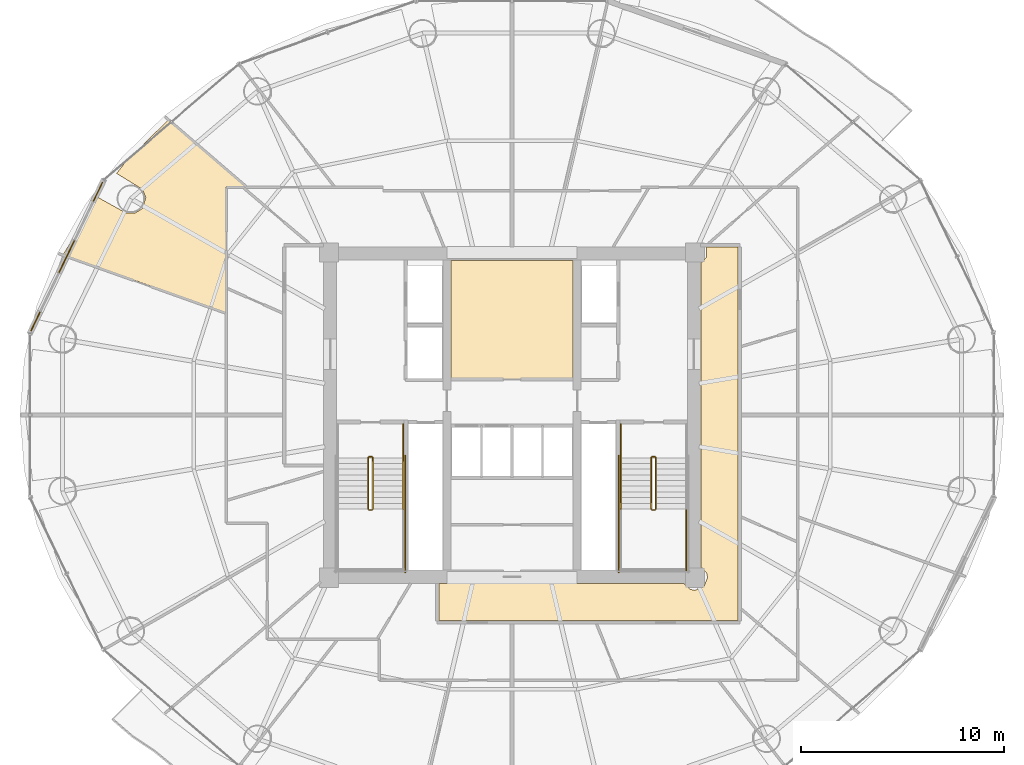
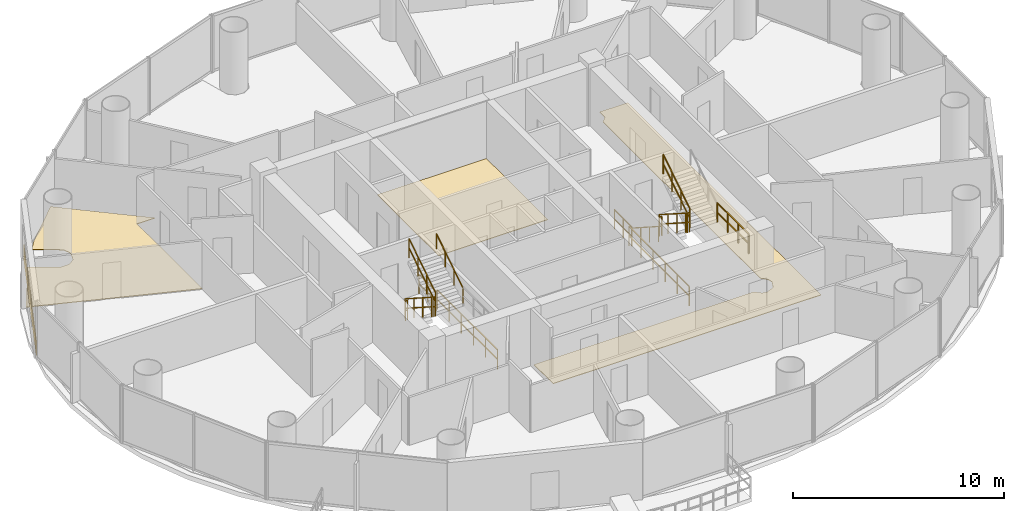
# One storey, part 26 of 27: 15 railings, 4 coverings.
"""IFC4 building model written with IfcOpenShell, lengths in metres."""

from ifc_helpers import new_model, si_unit, direction, frame, origin, origin_2d, place, context, subcontext, project, spatial, polyline, rectangle, outline, extrude, source, transform, mapped, material, layer, layer_set, type_object, element, save


model = new_model("IFC4")

# Units and contexts
model_context = context("Model", 3, precision=1e-05, world=origin(), true_north=direction((-0.2419218956, 0.970295726276)))
body_context = subcontext(model_context, "Body", "Model", "MODEL_VIEW")
ifc_project = project(units=[si_unit("LENGTHUNIT", "METRE"), si_unit("AREAUNIT", "SQUARE_METRE"), si_unit("VOLUMEUNIT", "CUBIC_METRE"), si_unit("PLANEANGLEUNIT", "RADIAN"), si_unit("MASSUNIT", "GRAM", prefix="KILO")], contexts=[model_context])

# Site, building, storey
site_placement = place(None, origin())
site = spatial("IfcSite", under=ifc_project, at=site_placement, CompositionType="ELEMENT")
building_placement = place(site_placement, origin())
building = spatial("IfcBuilding", under=site, at=building_placement, Name="Cobrevalo Terracotta Tower", CompositionType="ELEMENT")
storey_placement = place(building_placement, frame((0.0, 0.0, 164.199951171875)))
storey = spatial("IfcBuildingStorey", under=building, at=storey_placement, Name="L43", CompositionType="ELEMENT", Elevation=164.199951171875)

# Coverings
ifc_material_1 = material(Name="Engineered Brazilian hardwood flooring", Category="wood")
ifc_layer_1 = layer(ifc_material_1, 0.028076171875)
ifc_layer_set_1 = layer_set([ifc_layer_1], Name="Engineered Brazilian hardwood flooring")
covering_type_1 = type_object("IfcCoveringType", Name="Engineered Hardwood Suite Flooring 28", PredefinedType="FLOORING", material=ifc_layer_set_1)
covering_1_placement = place(storey_placement, origin())
element("IfcCovering", 1, at=covering_1_placement, inside=storey, type_object=covering_type_1, Name="Flat L43B Principal Guest Bedroom floor finish", PredefinedType="FLOORING", context=body_context, shape_type="SweptSolid", body=[
    extrude(outline(polyline([(17.632568359375, 37.50634765625), (19.017822265625, 36.736572265625), (19.447265625, 36.725830078125), (19.810302734375, 36.955322265625), (19.988525390625, 37.4931640625), (19.834228515625, 37.89404296875), (18.551513671875, 38.6865234375), (19.02197265625, 39.29052734375), (21.0888671875, 41.308837890625), (24.921142578125, 38.014892578125), (23.93505859375, 38.014892578125), (23.93505859375, 31.82861328125), (15.918212890625, 34.6826171875), (17.632568359375, 37.50634765625)])), origin(), (0.0, 0.0, 1.0), 0.030029296875),
])
ifc_material_2 = material(Name="Honed terracotta and granite tile", Category="masonry")
ifc_layer_2 = layer(ifc_material_2, 0.034912109375)
ifc_layer_set_2 = layer_set([ifc_layer_2], Name="Honed terracotta and granite tile")
covering_type_2 = type_object("IfcCoveringType", Name="Honed Terracotta & Granite Interior Flooring 35", PredefinedType="FLOORING", material=ifc_layer_set_2)
covering_2_placement = place(storey_placement, origin())
element("IfcCovering", 2, at=covering_2_placement, inside=storey, type_object=covering_type_2, Name="Floor Electrical Switchroom floor finish", PredefinedType="FLOORING", context=body_context, shape_type="SweptSolid", body=[
    extrude(outline(polyline([(35.010009765625, 34.405029296875), (40.989990234375, 34.405029296875), (40.989990234375, 28.580078125), (35.010009765625, 28.580078125), (35.010009765625, 34.405029296875)])), origin(), (0.0, 0.0, 1.0), 0.030029296875),
])
covering_3_placement = place(storey_placement, origin())
element("IfcCovering", 3, at=covering_3_placement, inside=storey, type_object=covering_type_2, Name="L43 Residential Floor Corridor 1 floor finish", PredefinedType="FLOORING", context=body_context, shape_type="SweptSolid", body=[
    extrude(outline(polyline([(34.419921875, 18.5048828125), (46.46533203125, 18.5048828125), (46.7626953125, 18.226806640625), (47.0, 18.1796875), (47.438720703125, 18.361328125), (47.620361328125, 18.800048828125), (47.5732421875, 19.037353515625), (47.294921875, 19.334716796875), (47.294921875, 34.265380859375), (47.5732421875, 34.5625), (47.5615234375, 35.054931640625), (49.10498046875, 35.054931640625), (49.10498046875, 16.695068359375), (34.419921875, 16.695068359375), (34.419921875, 18.5048828125)])), origin(), (0.0, 0.0, 1.0), 0.030029296875),
])

# Railings
ifc_material_3 = material(Name="Brushed stainless steel", Category="steel")
railing_type_1 = type_object("IfcRailingType", Name="Stainless Steel Stair Handrail 900", PredefinedType="HANDRAIL", material=ifc_material_3)
railing_1_placement = place(storey_placement, frame((32.64501953125, 22.179931640625, 1.97998046875)))
element("IfcRailing", 4, at=railing_1_placement, inside=storey, type_object=railing_type_1, Name="L43 ST-1 stair handrail 2", PredefinedType="HANDRAIL", context=body_context, shape_type="SweptSolid", body=[
    extrude(rectangle(XDim=0.048095703125, YDim=0.048095703125, at=origin_2d()), frame((0.0, 0.0, 0.8759765625), z_axis=(0.0, 0.841162588446, 0.540782303519), x_axis=(-1.0, 0.0, 0.0)), (0.0, 0.0, 1.0), 2.995849609375),
    extrude(rectangle(XDim=0.0419921875, YDim=0.0419921875, at=origin_2d()), origin(), (0.0, 0.0, 1.0), 0.851806640625),
    extrude(rectangle(XDim=0.0419921875, YDim=0.0419921875, at=origin_2d()), frame((0.0, 0.840087890625, 0.5400390625)), (0.0, 0.0, 1.0), 0.851806640625),
    extrude(rectangle(XDim=0.0419921875, YDim=0.0419921875, at=origin_2d()), frame((0.0, 1.679931640625, 1.080078125)), (0.0, 0.0, 1.0), 0.851806640625),
    extrude(rectangle(XDim=0.0419921875, YDim=0.0419921875, at=origin_2d()), frame((0.0, 2.52001953125, 1.6201171875)), (0.0, 0.0, 1.0), 0.851806640625),
])
railing_2_placement = place(storey_placement, frame((43.35498046875, 24.699951171875, 0.179931640625)))
element("IfcRailing", 5, at=railing_2_placement, inside=storey, type_object=railing_type_1, Name="L43 ST-2 stair handrail 1", PredefinedType="HANDRAIL", context=body_context, shape_type="SweptSolid", body=[
    extrude(rectangle(XDim=0.048095703125, YDim=0.048095703125, at=origin_2d()), frame((0.0, 0.0, 0.8759765625), z_axis=(0.0, -0.841162588446, 0.540782303519), x_axis=(1.0, 0.0, 0.0)), (0.0, 0.0, 1.0), 2.995849609375),
    extrude(rectangle(XDim=0.0419921875, YDim=0.0419921875, at=origin_2d()), origin(), (0.0, 0.0, 1.0), 0.851806640625),
    extrude(rectangle(XDim=0.0419921875, YDim=0.0419921875, at=origin_2d()), frame((0.0, -0.840087890625, 0.5400390625)), (0.0, 0.0, 1.0), 0.851806640625),
    extrude(rectangle(XDim=0.0419921875, YDim=0.0419921875, at=origin_2d()), frame((0.0, -1.679931640625, 1.080078125)), (0.0, 0.0, 1.0), 0.851806640625),
    extrude(rectangle(XDim=0.0419921875, YDim=0.0419921875, at=origin_2d()), frame((0.0, -2.52001953125, 1.6201171875)), (0.0, 0.0, 1.0), 0.851806640625),
])
ifc_material_4 = material(Name="Painted galvanized steel", Category="steel")
railing_type_2 = type_object("IfcRailingType", Name="Stair Well Guard Balustrade 1150", PredefinedType="GUARDRAIL", material=ifc_material_4)
railing_3_placement = place(storey_placement, frame((30.925048828125, 24.699951171875, 0.179931640625)))
element("IfcRailing", 6, at=railing_3_placement, inside=storey, type_object=railing_type_2, Name="L43 ST-1 stair guard 1", PredefinedType="GUARDRAIL", context=body_context, shape_type="SweptSolid", body=[
    extrude(rectangle(XDim=0.048095703125, YDim=0.048095703125, at=origin_2d()), frame((0.0, 0.0, 1.1259765625), z_axis=(0.0, -0.841162588446, 0.540782303519), x_axis=(1.0, 0.0, 0.0)), (0.0, 0.0, 1.0), 2.995849609375),
    extrude(rectangle(XDim=0.048095703125, YDim=0.048095703125, at=origin_2d()), frame((0.0, 0.0, 0.574951171875), z_axis=(0.0, -0.841162588446, 0.540782303519), x_axis=(1.0, 0.0, 0.0)), (0.0, 0.0, 1.0), 2.995849609375),
    extrude(rectangle(XDim=0.0419921875, YDim=0.0419921875, at=origin_2d()), origin(), (0.0, 0.0, 1.0), 1.101806640625),
    extrude(rectangle(XDim=0.0419921875, YDim=0.0419921875, at=origin_2d()), frame((0.0, -0.840087890625, 0.5400390625)), (0.0, 0.0, 1.0), 1.101806640625),
    extrude(rectangle(XDim=0.0419921875, YDim=0.0419921875, at=origin_2d()), frame((0.0, -1.679931640625, 1.080078125)), (0.0, 0.0, 1.0), 1.101806640625),
    extrude(rectangle(XDim=0.0419921875, YDim=0.0419921875, at=origin_2d()), frame((0.0, -2.52001953125, 1.6201171875)), (0.0, 0.0, 1.0), 1.101806640625),
])
railing_4_placement = place(storey_placement, frame((30.97509765625, 22.1298828125, 1.800048828125)))
element("IfcRailing", 7, at=railing_4_placement, inside=storey, type_object=railing_type_2, Name="L43 ST-1 stair guard 2", PredefinedType="GUARDRAIL", context=body_context, shape_type="SweptSolid", body=[
    extrude(rectangle(XDim=0.048095703125, YDim=0.048095703125, at=origin_2d()), frame((0.0, 0.0, 1.1259765625), z_axis=(1.0, 0.0, 0.0), x_axis=(0.0, 1.0, 0.0)), (0.0, 0.0, 1.0), 0.119873046875),
    extrude(rectangle(XDim=0.048095703125, YDim=0.048095703125, at=origin_2d()), frame((0.0, 0.0, 0.574951171875), z_axis=(1.0, 0.0, 0.0), x_axis=(0.0, 1.0, 0.0)), (0.0, 0.0, 1.0), 0.119873046875),
    extrude(rectangle(XDim=0.0419921875, YDim=0.0419921875, at=origin_2d()), origin(), (0.0, 0.0, 1.0), 1.101806640625),
    extrude(rectangle(XDim=0.0419921875, YDim=0.0419921875, at=origin_2d()), frame((0.119873046875, 0.0, 0.0)), (0.0, 0.0, 1.0), 1.101806640625),
])
railing_5_placement = place(storey_placement, frame((31.14501953125, 22.179931640625, 1.97998046875)))
element("IfcRailing", 8, at=railing_5_placement, inside=storey, type_object=railing_type_2, Name="L43 ST-1 stair guard 6", PredefinedType="GUARDRAIL", context=body_context, shape_type="SweptSolid", body=[
    extrude(rectangle(XDim=0.048095703125, YDim=0.048095703125, at=origin_2d()), frame((0.0, 0.0, 1.1259765625), z_axis=(0.0, 0.841162588446, 0.540782303519), x_axis=(-1.0, 0.0, 0.0)), (0.0, 0.0, 1.0), 2.995849609375),
    extrude(rectangle(XDim=0.048095703125, YDim=0.048095703125, at=origin_2d()), frame((0.0, 0.0, 0.574951171875), z_axis=(0.0, 0.841162588446, 0.540782303519), x_axis=(-1.0, 0.0, 0.0)), (0.0, 0.0, 1.0), 2.995849609375),
    extrude(rectangle(XDim=0.0419921875, YDim=0.0419921875, at=origin_2d()), origin(), (0.0, 0.0, 1.0), 1.101806640625),
    extrude(rectangle(XDim=0.0419921875, YDim=0.0419921875, at=origin_2d()), frame((0.0, 0.840087890625, 0.5400390625)), (0.0, 0.0, 1.0), 1.101806640625),
    extrude(rectangle(XDim=0.0419921875, YDim=0.0419921875, at=origin_2d()), frame((0.0, 1.679931640625, 1.080078125)), (0.0, 0.0, 1.0), 1.101806640625),
    extrude(rectangle(XDim=0.0419921875, YDim=0.0419921875, at=origin_2d()), frame((0.0, 2.52001953125, 1.6201171875)), (0.0, 0.0, 1.0), 1.101806640625),
])
railing_6_placement = place(storey_placement, frame((30.97509765625, 24.75, 0.0)))
element("IfcRailing", 9, at=railing_6_placement, inside=storey, type_object=railing_type_2, Name="L43 ST-1 stair guard 7", PredefinedType="GUARDRAIL", context=body_context, shape_type="SweptSolid", body=[
    extrude(rectangle(XDim=0.048095703125, YDim=0.048095703125, at=origin_2d()), frame((0.0, 0.0, 1.1259765625), z_axis=(1.0, 0.0, 0.0), x_axis=(0.0, 1.0, 0.0)), (0.0, 0.0, 1.0), 0.119873046875),
    extrude(rectangle(XDim=0.048095703125, YDim=0.048095703125, at=origin_2d()), frame((0.0, 0.0, 0.574951171875), z_axis=(1.0, 0.0, 0.0), x_axis=(0.0, 1.0, 0.0)), (0.0, 0.0, 1.0), 0.119873046875),
    extrude(rectangle(XDim=0.0419921875, YDim=0.0419921875, at=origin_2d()), origin(), (0.0, 0.0, 1.0), 1.101806640625),
    extrude(rectangle(XDim=0.0419921875, YDim=0.0419921875, at=origin_2d()), frame((0.119873046875, 0.0, 0.0)), (0.0, 0.0, 1.0), 1.101806640625),
])
railing_7_placement = place(storey_placement, frame((32.64501953125, 26.35009765625, 0.0)))
element("IfcRailing", 10, at=railing_7_placement, inside=storey, type_object=railing_type_2, Name="L43 ST-1 stair guard 9", PredefinedType="GUARDRAIL", context=body_context, shape_type="SweptSolid", body=[
    extrude(rectangle(XDim=0.048095703125, YDim=0.048095703125, at=origin_2d()), frame((0.0, 0.0, 1.1259765625), z_axis=(0.0, -1.0, 0.0), x_axis=(1.0, 0.0, 0.0)), (0.0, 0.0, 1.0), 1.650146484375),
    extrude(rectangle(XDim=0.048095703125, YDim=0.048095703125, at=origin_2d()), frame((0.0, 0.0, 0.574951171875), z_axis=(0.0, -1.0, 0.0), x_axis=(1.0, 0.0, 0.0)), (0.0, 0.0, 1.0), 1.650146484375),
    extrude(rectangle(XDim=0.0419921875, YDim=0.0419921875, at=origin_2d()), origin(), (0.0, 0.0, 1.0), 1.101806640625),
    extrude(rectangle(XDim=0.0419921875, YDim=0.0419921875, at=origin_2d()), frame((0.0, -0.8251953125, 0.0)), (0.0, 0.0, 1.0), 1.101806640625),
    extrude(rectangle(XDim=0.0419921875, YDim=0.0419921875, at=origin_2d()), frame((0.0, -1.650146484375, 0.0)), (0.0, 0.0, 1.0), 1.101806640625),
])
railing_8_placement = place(storey_placement, frame((32.7451171875, 24.800048828125, 0.0)))
element("IfcRailing", 11, at=railing_8_placement, inside=storey, type_object=railing_type_2, Name="L43 ST-1 stair guard 11", PredefinedType="GUARDRAIL", context=body_context, shape_type="SweptSolid", body=[
    extrude(rectangle(XDim=0.048095703125, YDim=0.048095703125, at=origin_2d()), frame((0.0, 0.0, 1.1259765625), z_axis=(0.0, -1.0, 0.0), x_axis=(1.0, 0.0, 0.0)), (0.0, 0.0, 1.0), 5.72509765625),
    extrude(rectangle(XDim=0.048095703125, YDim=0.048095703125, at=origin_2d()), frame((0.0, 0.0, 0.574951171875), z_axis=(0.0, -1.0, 0.0), x_axis=(1.0, 0.0, 0.0)), (0.0, 0.0, 1.0), 5.72509765625),
    extrude(rectangle(XDim=0.0419921875, YDim=0.0419921875, at=origin_2d()), origin(), (0.0, 0.0, 1.0), 1.101806640625),
    extrude(rectangle(XDim=0.0419921875, YDim=0.0419921875, at=origin_2d()), frame((0.0, -1.14501953125, 0.0)), (0.0, 0.0, 1.0), 1.101806640625),
    extrude(rectangle(XDim=0.0419921875, YDim=0.0419921875, at=origin_2d()), frame((0.0, -2.2900390625, 0.0)), (0.0, 0.0, 1.0), 1.101806640625),
    extrude(rectangle(XDim=0.0419921875, YDim=0.0419921875, at=origin_2d()), frame((0.0, -3.43505859375, 0.0)), (0.0, 0.0, 1.0), 1.101806640625),
    extrude(rectangle(XDim=0.0419921875, YDim=0.0419921875, at=origin_2d()), frame((0.0, -4.580078125, 0.0)), (0.0, 0.0, 1.0), 1.101806640625),
    extrude(rectangle(XDim=0.0419921875, YDim=0.0419921875, at=origin_2d()), frame((0.0, -5.72509765625, 0.0)), (0.0, 0.0, 1.0), 1.101806640625),
])
railing_9_placement = place(storey_placement, frame((44.85498046875, 24.699951171875, 0.179931640625)))
element("IfcRailing", 12, at=railing_9_placement, inside=storey, type_object=railing_type_2, Name="L43 ST-2 stair guard 1", PredefinedType="GUARDRAIL", context=body_context, shape_type="SweptSolid", body=[
    extrude(rectangle(XDim=0.048095703125, YDim=0.048095703125, at=origin_2d()), frame((0.0, 0.0, 1.1259765625), z_axis=(0.0, -0.841162588446, 0.540782303519), x_axis=(1.0, 0.0, 0.0)), (0.0, 0.0, 1.0), 2.995849609375),
    extrude(rectangle(XDim=0.048095703125, YDim=0.048095703125, at=origin_2d()), frame((0.0, 0.0, 0.574951171875), z_axis=(0.0, -0.841162588446, 0.540782303519), x_axis=(1.0, 0.0, 0.0)), (0.0, 0.0, 1.0), 2.995849609375),
    extrude(rectangle(XDim=0.0419921875, YDim=0.0419921875, at=origin_2d()), origin(), (0.0, 0.0, 1.0), 1.101806640625),
    extrude(rectangle(XDim=0.0419921875, YDim=0.0419921875, at=origin_2d()), frame((0.0, -0.840087890625, 0.5400390625)), (0.0, 0.0, 1.0), 1.101806640625),
    extrude(rectangle(XDim=0.0419921875, YDim=0.0419921875, at=origin_2d()), frame((0.0, -1.679931640625, 1.080078125)), (0.0, 0.0, 1.0), 1.101806640625),
    extrude(rectangle(XDim=0.0419921875, YDim=0.0419921875, at=origin_2d()), frame((0.0, -2.52001953125, 1.6201171875)), (0.0, 0.0, 1.0), 1.101806640625),
])
railing_10_placement = place(storey_placement, frame((44.905029296875, 22.1298828125, 1.800048828125)))
element("IfcRailing", 13, at=railing_10_placement, inside=storey, type_object=railing_type_2, Name="L43 ST-2 stair guard 2", PredefinedType="GUARDRAIL", context=body_context, shape_type="SweptSolid", body=[
    extrude(rectangle(XDim=0.048095703125, YDim=0.048095703125, at=origin_2d()), frame((0.0, 0.0, 1.1259765625), z_axis=(1.0, 0.0, 0.0), x_axis=(0.0, 1.0, 0.0)), (0.0, 0.0, 1.0), 0.119873046875),
    extrude(rectangle(XDim=0.048095703125, YDim=0.048095703125, at=origin_2d()), frame((0.0, 0.0, 0.574951171875), z_axis=(1.0, 0.0, 0.0), x_axis=(0.0, 1.0, 0.0)), (0.0, 0.0, 1.0), 0.119873046875),
    extrude(rectangle(XDim=0.0419921875, YDim=0.0419921875, at=origin_2d()), origin(), (0.0, 0.0, 1.0), 1.101806640625),
    extrude(rectangle(XDim=0.0419921875, YDim=0.0419921875, at=origin_2d()), frame((0.119873046875, 0.0, 0.0)), (0.0, 0.0, 1.0), 1.101806640625),
])
railing_11_placement = place(storey_placement, frame((46.574951171875, 22.179931640625, 1.800048828125)))
element("IfcRailing", 14, at=railing_11_placement, inside=storey, type_object=railing_type_2, Name="L43 ST-2 stair guard 4", PredefinedType="GUARDRAIL", context=body_context, shape_type="SweptSolid", body=[
    extrude(rectangle(XDim=0.048095703125, YDim=0.048095703125, at=origin_2d()), frame((0.0, 0.0, 1.1259765625), z_axis=(0.0, -1.0, 0.0), x_axis=(1.0, 0.0, 0.0)), (0.0, 0.0, 1.0), 3.0048828125),
    extrude(rectangle(XDim=0.048095703125, YDim=0.048095703125, at=origin_2d()), frame((0.0, 0.0, 0.574951171875), z_axis=(0.0, -1.0, 0.0), x_axis=(1.0, 0.0, 0.0)), (0.0, 0.0, 1.0), 3.0048828125),
    extrude(rectangle(XDim=0.0419921875, YDim=0.0419921875, at=origin_2d()), origin(), (0.0, 0.0, 1.0), 1.101806640625),
    extrude(rectangle(XDim=0.0419921875, YDim=0.0419921875, at=origin_2d()), frame((0.0, -1.001708984375, 0.0)), (0.0, 0.0, 1.0), 1.101806640625),
    extrude(rectangle(XDim=0.0419921875, YDim=0.0419921875, at=origin_2d()), frame((0.0, -2.003173828125, 0.0)), (0.0, 0.0, 1.0), 1.101806640625),
    extrude(rectangle(XDim=0.0419921875, YDim=0.0419921875, at=origin_2d()), frame((0.0, -3.0048828125, 0.0)), (0.0, 0.0, 1.0), 1.101806640625),
])
railing_12_placement = place(storey_placement, frame((45.074951171875, 22.179931640625, 1.97998046875)))
element("IfcRailing", 15, at=railing_12_placement, inside=storey, type_object=railing_type_2, Name="L43 ST-2 stair guard 6", PredefinedType="GUARDRAIL", context=body_context, shape_type="SweptSolid", body=[
    extrude(rectangle(XDim=0.048095703125, YDim=0.048095703125, at=origin_2d()), frame((0.0, 0.0, 1.1259765625), z_axis=(0.0, 0.841162588446, 0.540782303519), x_axis=(-1.0, 0.0, 0.0)), (0.0, 0.0, 1.0), 2.995849609375),
    extrude(rectangle(XDim=0.048095703125, YDim=0.048095703125, at=origin_2d()), frame((0.0, 0.0, 0.574951171875), z_axis=(0.0, 0.841162588446, 0.540782303519), x_axis=(-1.0, 0.0, 0.0)), (0.0, 0.0, 1.0), 2.995849609375),
    extrude(rectangle(XDim=0.0419921875, YDim=0.0419921875, at=origin_2d()), origin(), (0.0, 0.0, 1.0), 1.101806640625),
    extrude(rectangle(XDim=0.0419921875, YDim=0.0419921875, at=origin_2d()), frame((0.0, 0.840087890625, 0.5400390625)), (0.0, 0.0, 1.0), 1.101806640625),
    extrude(rectangle(XDim=0.0419921875, YDim=0.0419921875, at=origin_2d()), frame((0.0, 1.679931640625, 1.080078125)), (0.0, 0.0, 1.0), 1.101806640625),
    extrude(rectangle(XDim=0.0419921875, YDim=0.0419921875, at=origin_2d()), frame((0.0, 2.52001953125, 1.6201171875)), (0.0, 0.0, 1.0), 1.101806640625),
])
railing_13_placement = place(storey_placement, frame((44.905029296875, 24.75, 0.0)))
element("IfcRailing", 16, at=railing_13_placement, inside=storey, type_object=railing_type_2, Name="L43 ST-2 stair guard 7", PredefinedType="GUARDRAIL", context=body_context, shape_type="SweptSolid", body=[
    extrude(rectangle(XDim=0.048095703125, YDim=0.048095703125, at=origin_2d()), frame((0.0, 0.0, 1.1259765625), z_axis=(1.0, 0.0, 0.0), x_axis=(0.0, 1.0, 0.0)), (0.0, 0.0, 1.0), 0.119873046875),
    extrude(rectangle(XDim=0.048095703125, YDim=0.048095703125, at=origin_2d()), frame((0.0, 0.0, 0.574951171875), z_axis=(1.0, 0.0, 0.0), x_axis=(0.0, 1.0, 0.0)), (0.0, 0.0, 1.0), 0.119873046875),
    extrude(rectangle(XDim=0.0419921875, YDim=0.0419921875, at=origin_2d()), origin(), (0.0, 0.0, 1.0), 1.101806640625),
    extrude(rectangle(XDim=0.0419921875, YDim=0.0419921875, at=origin_2d()), frame((0.119873046875, 0.0, 0.0)), (0.0, 0.0, 1.0), 1.101806640625),
])
railing_14_placement = place(storey_placement, frame((43.35498046875, 26.35009765625, 0.0)))
element("IfcRailing", 17, at=railing_14_placement, inside=storey, type_object=railing_type_2, Name="L43 ST-2 stair guard 8", PredefinedType="GUARDRAIL", context=body_context, shape_type="SweptSolid", body=[
    extrude(rectangle(XDim=0.048095703125, YDim=0.048095703125, at=origin_2d()), frame((0.0, 0.0, 1.1259765625), z_axis=(0.0, -1.0, 0.0), x_axis=(1.0, 0.0, 0.0)), (0.0, 0.0, 1.0), 1.650146484375),
    extrude(rectangle(XDim=0.048095703125, YDim=0.048095703125, at=origin_2d()), frame((0.0, 0.0, 0.574951171875), z_axis=(0.0, -1.0, 0.0), x_axis=(1.0, 0.0, 0.0)), (0.0, 0.0, 1.0), 1.650146484375),
    extrude(rectangle(XDim=0.0419921875, YDim=0.0419921875, at=origin_2d()), origin(), (0.0, 0.0, 1.0), 1.101806640625),
    extrude(rectangle(XDim=0.0419921875, YDim=0.0419921875, at=origin_2d()), frame((0.0, -0.8251953125, 0.0)), (0.0, 0.0, 1.0), 1.101806640625),
    extrude(rectangle(XDim=0.0419921875, YDim=0.0419921875, at=origin_2d()), frame((0.0, -1.650146484375, 0.0)), (0.0, 0.0, 1.0), 1.101806640625),
])
railing_15_placement = place(storey_placement, frame((43.2548828125, 24.800048828125, 0.0)))
element("IfcRailing", 18, at=railing_15_placement, inside=storey, type_object=railing_type_2, Name="L43 ST-2 stair guard 10", PredefinedType="GUARDRAIL", context=body_context, shape_type="SweptSolid", body=[
    extrude(rectangle(XDim=0.048095703125, YDim=0.048095703125, at=origin_2d()), frame((0.0, 0.0, 1.1259765625), z_axis=(0.0, -1.0, 0.0), x_axis=(1.0, 0.0, 0.0)), (0.0, 0.0, 1.0), 5.72509765625),
    extrude(rectangle(XDim=0.048095703125, YDim=0.048095703125, at=origin_2d()), frame((0.0, 0.0, 0.574951171875), z_axis=(0.0, -1.0, 0.0), x_axis=(1.0, 0.0, 0.0)), (0.0, 0.0, 1.0), 5.72509765625),
    extrude(rectangle(XDim=0.0419921875, YDim=0.0419921875, at=origin_2d()), origin(), (0.0, 0.0, 1.0), 1.101806640625),
    extrude(rectangle(XDim=0.0419921875, YDim=0.0419921875, at=origin_2d()), frame((0.0, -1.14501953125, 0.0)), (0.0, 0.0, 1.0), 1.101806640625),
    extrude(rectangle(XDim=0.0419921875, YDim=0.0419921875, at=origin_2d()), frame((0.0, -2.2900390625, 0.0)), (0.0, 0.0, 1.0), 1.101806640625),
    extrude(rectangle(XDim=0.0419921875, YDim=0.0419921875, at=origin_2d()), frame((0.0, -3.43505859375, 0.0)), (0.0, 0.0, 1.0), 1.101806640625),
    extrude(rectangle(XDim=0.0419921875, YDim=0.0419921875, at=origin_2d()), frame((0.0, -4.580078125, 0.0)), (0.0, 0.0, 1.0), 1.101806640625),
    extrude(rectangle(XDim=0.0419921875, YDim=0.0419921875, at=origin_2d()), frame((0.0, -5.72509765625, 0.0)), (0.0, 0.0, 1.0), 1.101806640625),
])

# Covering
ifc_material_5 = material(Name="Glazed terracotta facade cladding tile", Category="masonry")
ifc_layer_3 = layer(ifc_material_5, 0.044921875)
ifc_layer_set_3 = layer_set([ifc_layer_3], Name="Glazed terracotta facade cladding tile")
covering_type_3 = type_object("IfcCoveringType", Name="Architectural terracotta rainscreen spandrel cladding 45 mm", PredefinedType="CLADDING", material=ifc_layer_set_3)
shared_shape = source(origin(), body_context, "Body", "SweptSolid", [
    extrude(rectangle(XDim=8.111572265625, YDim=0.044921875, at=origin_2d()), origin(), (0.0, 0.0, 1.0), 0.760009765625),
])
covering_4_placement = place(storey_placement, frame((16.098876953125, 34.595703125, 0.0400390625), z_axis=(0.0, 0.0, 1.0), x_axis=(-0.434209440271, -0.900811945957, 0.0)))
element("IfcCovering", 19, at=covering_4_placement, inside=storey, type_object=covering_type_3, Name="L43 terracotta spandrel cladding S07", PredefinedType="CLADDING", context=body_context, shape_type="MappedRepresentation", body=[
    mapped(shared_shape, transform((0.0, 0.0, 0.0), scale=1.0)),
])

save(model, "model.ifc")
